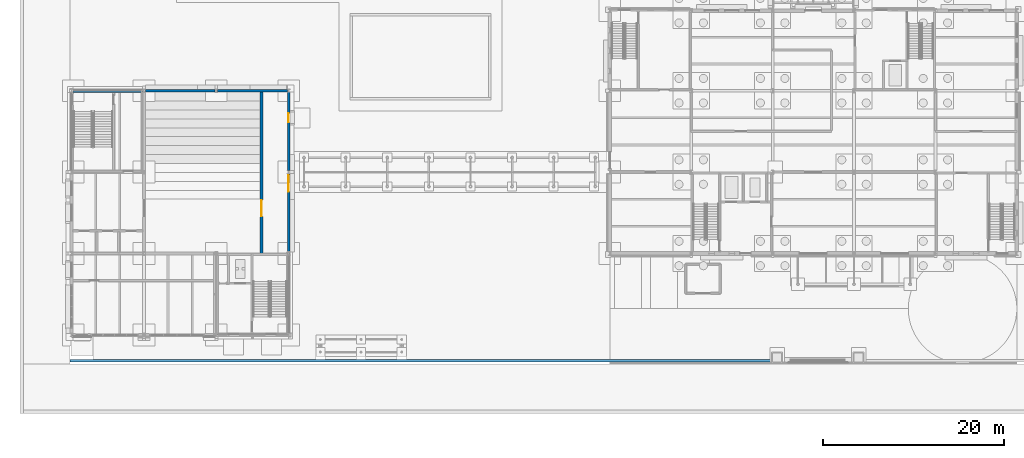
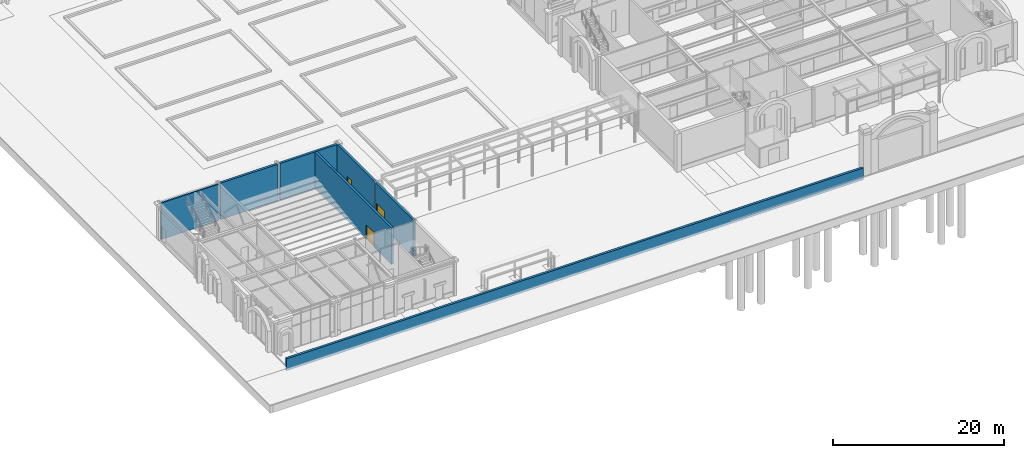
# One storey, part 66 of 126: 7 walls, 3 doors, 3 openings.
"""IFC4 building model written with IfcOpenShell, lengths in metres."""

from ifc_helpers import new_model, si_unit, direction, frame, frame_2d, origin, place, context, subcontext, project, spatial, rectangle, extrude, material, layer, layer_set, type_object, element, fill, save


model = new_model("IFC4")

# Units and contexts
model_context = context("Model", 3, precision=1e-05, world=origin(), true_north=direction((0.0, 1.0)))
body_context = subcontext(model_context, "Body", "Model", "MODEL_VIEW")
ifc_project = project(units=[si_unit("LENGTHUNIT", "METRE"), si_unit("AREAUNIT", "SQUARE_METRE"), si_unit("VOLUMEUNIT", "CUBIC_METRE"), si_unit("PLANEANGLEUNIT", "RADIAN"), si_unit("MASSUNIT", "GRAM", prefix="KILO")], contexts=[model_context])

# Site, building, storey
site_placement = place(None, origin())
site = spatial("IfcSite", under=ifc_project, at=site_placement, CompositionType="ELEMENT")
building_placement = place(site_placement, origin())
building = spatial("IfcBuilding", under=site, at=building_placement, Name="Kallimachos Central Library", CompositionType="ELEMENT")
storey_placement = place(building_placement, origin())
storey = spatial("IfcBuildingStorey", under=building, at=storey_placement, Name="L00", CompositionType="ELEMENT", Elevation=0.0)

# Wall
ifc_material_1 = material(Name="Pentelic marble masonry", Category="masonry")
ifc_layer_1 = layer(ifc_material_1, 0.300048828125)
ifc_layer_set_1 = layer_set([ifc_layer_1], Name="Boundary stone wall 300")
wall_type_1 = type_object("IfcWallType", Name="Boundary stone wall 300", PredefinedType="SOLIDWALL", material=ifc_layer_set_1)
wall_1_placement = place(storey_placement, frame((5.800048828125, 6.14990234375, -0.5), z_axis=(0.0, 0.0, 1.0), x_axis=(1.0, 0.0, 0.0)))
element("IfcWall", 1, at=wall_1_placement, inside=storey, type_object=wall_type_1, Name="South street wall", PredefinedType="SOLIDWALL", context=body_context, shape_type="SweptSolid", body=[
    extrude(rectangle(XDim=77.699951171875, YDim=0.300048828125, at=frame_2d((38.85009765625, 0.0))), origin(), (0.0, 0.0, 1.0), 1.699951171875),
])

# Wall, opening, door
ifc_material_2 = material(Name="Concrete C30/37", Category="concrete")
ifc_layer_2 = layer(ifc_material_2, 0.300048828125)
ifc_layer_set_2 = layer_set([ifc_layer_2], Name="Hall wall 300")
wall_type_2 = type_object("IfcWallType", Name="Hall wall 300", PredefinedType="SOLIDWALL", material=ifc_layer_set_2)
wall_2_placement = place(storey_placement, frame((27.0, 18.0, 0.0), z_axis=(0.0, 0.0, 1.0), x_axis=(0.0, 1.0, 0.0)))
wall_2 = element("IfcWall", 2, at=wall_2_placement, inside=storey, type_object=wall_type_2, Name="V6-WAL-L00-018", PredefinedType="SOLIDWALL", context=body_context, shape_type="SweptSolid", body=[
    extrude(rectangle(XDim=17.85009765625, YDim=0.300048828125, at=frame_2d((8.925048828125, 0.0))), origin(), (0.0, 0.0, 1.0), 5.199951171875),
])
opening_1_placement = place(wall_2_placement, frame((4.10009765625, 0.0, 0.0)))
opening_1 = element("IfcOpeningElement", 3, at=opening_1_placement, cuts=wall_2, Name="Opening D76", PredefinedType="OPENING", context=body_context, shape_type="SweptSolid", body=[
    extrude(rectangle(XDim=1.800048828125, YDim=2.10009765625, at=frame_2d((0.89990234375, 1.050048828125))), frame((0.0, 0.159912109375, 0.0), z_axis=(0.0, -1.0, 0.0), x_axis=(1.0, 0.0, 0.0)), (0.0, 0.0, 1.0), 0.320068359375),
])
ifc_material_3 = material(Name="Acoustic timber", Category="wood")
door_type_1 = type_object("IfcDoorType", Name="Hall double door 1800 x 2100", OperationType="DOUBLE_DOOR_SINGLE_SWING", PredefinedType="DOOR", material=ifc_material_3)
door_1_placement = place(opening_1_placement, origin())
door_1 = element("IfcDoor", 4, at=door_1_placement, inside=storey, type_object=door_type_1, Name="Lecture Hall Door East", OperationType="DOUBLE_DOOR_SINGLE_SWING", OverallHeight=2.10009765625, OverallWidth=1.800048828125, PredefinedType="DOOR", context=body_context, shape_type="SweptSolid", body=[
    extrude(rectangle(XDim=1.800048828125, YDim=2.10009765625, at=frame_2d((0.89990234375, 1.050048828125))), frame((0.0, 0.02490234375, 0.0), z_axis=(0.0, -1.0, 0.0), x_axis=(1.0, 0.0, 0.0)), (0.0, 0.0, 1.0), 0.050048828125),
])
fill(opening_1, door_1)

# Walls
ifc_material_4 = material(Name="Concrete C30/37", Category="concrete")
ifc_layer_3 = layer(ifc_material_4, 0.199951171875)
ifc_layer_set_3 = layer_set([ifc_layer_3], Name="Stone-clad core wall 200")
wall_type_3 = type_object("IfcWallType", Name="Stone-clad core wall 200", PredefinedType="SOLIDWALL", material=ifc_layer_set_3)
wall_3_placement = place(storey_placement, frame((6.14990234375, 35.89990234375, 0.0), z_axis=(0.0, 0.0, 1.0), x_axis=(1.0, 0.0, 0.0)))
element("IfcWall", 5, at=wall_3_placement, inside=storey, type_object=wall_type_3, Name="V6-WAL-L00-028", PredefinedType="SOLIDWALL", context=body_context, shape_type="SweptSolid", body=[
    extrude(rectangle(XDim=7.7001953125, YDim=0.199951171875, at=frame_2d((3.85009765625, 0.0))), origin(), (0.0, 0.0, 1.0), 5.199951171875),
])
ifc_material_5 = material(Name="Pentelic marble cladding on masonry, U 0.45 W/m2K", Category="masonry")
ifc_layer_4 = layer(ifc_material_5, 0.300048828125)
ifc_layer_set_4 = layer_set([ifc_layer_4], Name="Stone-clad wall 300")
wall_type_4 = type_object("IfcWallType", Name="Stone-clad wall 300", PredefinedType="SOLIDWALL", material=ifc_layer_set_4)
for number, where, z_axis, x_axis, name in (
    (6, (14.14990234375, 36.0, 0.0), (0.0, 0.0, 1.0), (1.0, 0.0, 0.0), "V6-WAL-L00-012"),
    (7, (22.14990234375, 36.0, 0.0), (0.0, 0.0, 1.0), (1.0, 0.0, 0.0), "V6-WAL-L00-013"),
):
    element("IfcWall", number, at=place(storey_placement, frame(where, z_axis=z_axis, x_axis=x_axis)), inside=storey, type_object=wall_type_4, Name=name, PredefinedType="SOLIDWALL", context=body_context, shape_type="SweptSolid", body=[
        extrude(rectangle(XDim=7.7001953125, YDim=0.300048828125, at=frame_2d((3.85009765625, 0.0))), origin(), (0.0, 0.0, 1.0), 5.199951171875),
    ])

# Wall, opening, door
wall_4_placement = place(storey_placement, frame((30.0, 18.14990234375, 0.0), z_axis=(0.0, 0.0, 1.0), x_axis=(0.0, 1.0, 0.0)))
wall_4 = element("IfcWall", 8, at=wall_4_placement, inside=storey, type_object=wall_type_4, Name="V6-WAL-L00-014", PredefinedType="SOLIDWALL", context=body_context, shape_type="SweptSolid", body=[
    extrude(rectangle(XDim=8.7001953125, YDim=0.300048828125, at=frame_2d((4.35009765625, 0.0))), origin(), (0.0, 0.0, 1.0), 5.199951171875),
])
opening_2_placement = place(wall_4_placement, frame((6.699951171875, 0.0, 0.0)))
opening_2 = element("IfcOpeningElement", 9, at=opening_2_placement, cuts=wall_4, Name="Opening DL8", PredefinedType="OPENING", context=body_context, shape_type="SweptSolid", body=[
    extrude(rectangle(XDim=1.800048828125, YDim=2.39990234375, at=frame_2d((0.89990234375, 1.199951171875))), frame((0.0, 0.159912109375, 0.0), z_axis=(0.0, -1.0, 0.0), x_axis=(1.0, 0.0, 0.0)), (0.0, 0.0, 1.0), 0.320068359375),
])
ifc_material_6 = material(Name="Anodised aluminium and laminated glass", Category="aluminium")
door_type_2 = type_object("IfcDoorType", Name="Link door 1800 x 2400", OperationType="DOUBLE_DOOR_SINGLE_SWING", PredefinedType="DOOR", material=ifc_material_6)
door_2_placement = place(opening_2_placement, frame((1.800048828125, 0.0, 0.0), z_axis=(0.0, 0.0, 1.0), x_axis=(-1.0, 0.0, 0.0)))
door_2 = element("IfcDoor", 10, at=door_2_placement, inside=storey, type_object=door_type_2, Name="Exit Door", OperationType="DOUBLE_DOOR_SINGLE_SWING", OverallHeight=2.39990234375, OverallWidth=1.800048828125, PredefinedType="DOOR", context=body_context, shape_type="SweptSolid", body=[
    extrude(rectangle(XDim=1.800048828125, YDim=2.39990234375, at=frame_2d((0.89990234375, 1.199951171875))), frame((0.0, 0.02490234375, 0.0), z_axis=(0.0, -1.0, 0.0), x_axis=(1.0, 0.0, 0.0)), (0.0, 0.0, 1.0), 0.050048828125),
])
fill(opening_2, door_2)

wall_5_placement = place(storey_placement, frame((30.0, 27.14990234375, 0.0), z_axis=(0.0, 0.0, 1.0), x_axis=(0.0, 1.0, 0.0)))
wall_5 = element("IfcWall", 11, at=wall_5_placement, inside=storey, type_object=wall_type_4, Name="V6-WAL-L00-015", PredefinedType="SOLIDWALL", context=body_context, shape_type="SweptSolid", body=[
    extrude(rectangle(XDim=8.7001953125, YDim=0.300048828125, at=frame_2d((4.35009765625, 0.0))), origin(), (0.0, 0.0, 1.0), 5.199951171875),
])
opening_3_placement = place(wall_5_placement, frame((5.35009765625, 0.0, 0.0)))
opening_3 = element("IfcOpeningElement", 12, at=opening_3_placement, cuts=wall_5, Name="Opening D74", PredefinedType="OPENING", context=body_context, shape_type="SweptSolid", body=[
    extrude(rectangle(XDim=1.0, YDim=2.10009765625, at=frame_2d((0.5, 1.050048828125))), frame((0.0, 0.159912109375, 0.0), z_axis=(0.0, -1.0, 0.0), x_axis=(1.0, 0.0, 0.0)), (0.0, 0.0, 1.0), 0.320068359375),
])
ifc_material_7 = material(Name="Oak timber", Category="wood")
door_type_3 = type_object("IfcDoorType", Name="Single door 1000 x 2100, not rated", OperationType="NOTDEFINED", PredefinedType="DOOR", material=ifc_material_7)
door_3_placement = place(opening_3_placement, frame((1.0, 0.0, 0.0), z_axis=(0.0, 0.0, 1.0), x_axis=(-1.0, 0.0, 0.0)))
door_3 = element("IfcDoor", 13, at=door_3_placement, inside=storey, type_object=door_type_3, Name="Exit Door", OperationType="SINGLE_SWING_RIGHT", OverallHeight=2.10009765625, OverallWidth=1.0, PredefinedType="DOOR", context=body_context, shape_type="SweptSolid", body=[
    extrude(rectangle(XDim=1.0, YDim=2.10009765625, at=frame_2d((0.5, 1.050048828125))), frame((0.0, 0.02490234375, 0.0), z_axis=(0.0, -1.0, 0.0), x_axis=(1.0, 0.0, 0.0)), (0.0, 0.0, 1.0), 0.050048828125),
])
fill(opening_3, door_3)

save(model, "model.ifc")
